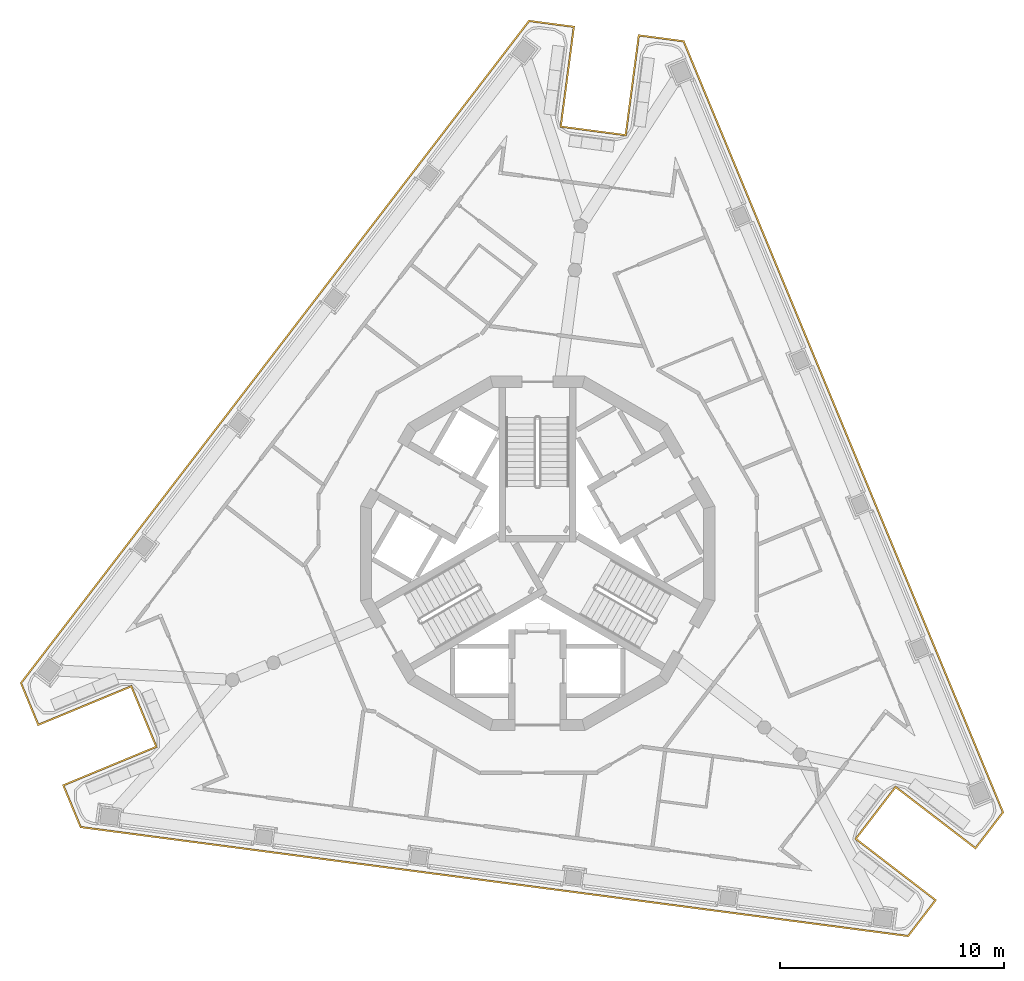
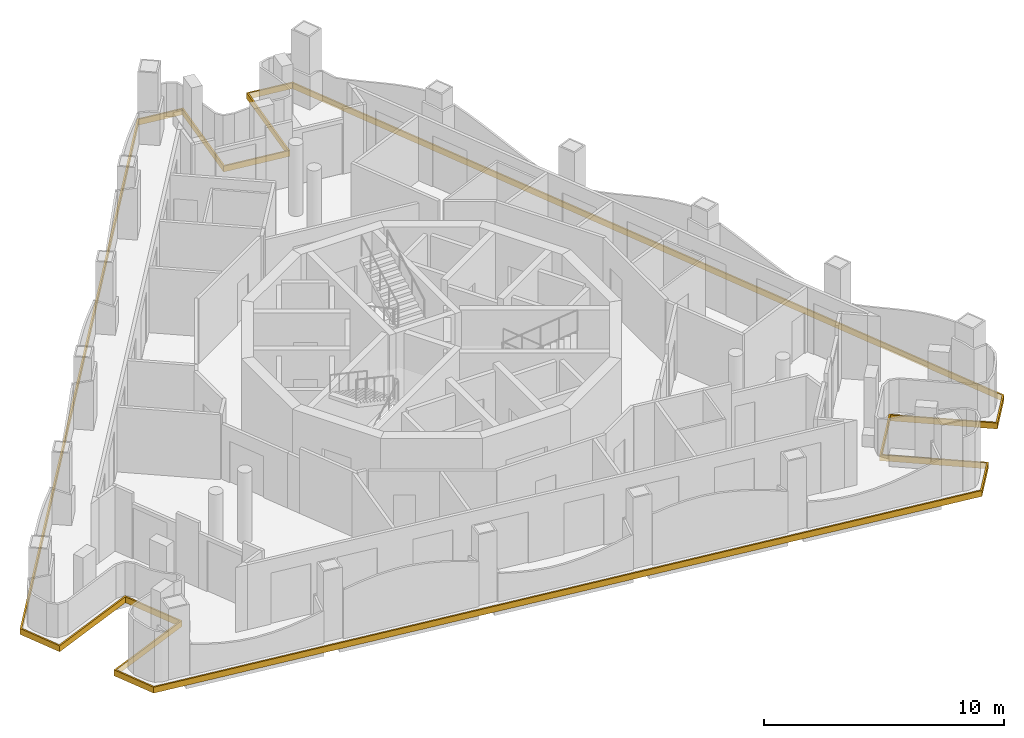
# One storey, part 9 of 12: 1 covering.
"""IFC4 building model written with IfcOpenShell, lengths in metres."""

from ifc_helpers import new_model, si_unit, direction, frame, origin, place, context, subcontext, project, spatial, polyline, outline, extrude, material, layer, layer_set, type_object, element, save


model = new_model("IFC4")

# Units and contexts
model_context = context("Model", 3, precision=1e-05, world=origin(), true_north=direction((0.0, 1.0)))
body_context = subcontext(model_context, "Body", "Model", "MODEL_VIEW")
ifc_project = project(units=[si_unit("LENGTHUNIT", "METRE"), si_unit("AREAUNIT", "SQUARE_METRE"), si_unit("VOLUMEUNIT", "CUBIC_METRE"), si_unit("PLANEANGLEUNIT", "RADIAN"), si_unit("MASSUNIT", "GRAM", prefix="KILO")], contexts=[model_context])

# Site, building, storey
site_placement = place(None, origin())
site = spatial("IfcSite", under=ifc_project, at=site_placement, CompositionType="ELEMENT")
building_placement = place(site_placement, origin())
building = spatial("IfcBuilding", under=site, at=building_placement, Name="Trine Commons Tower", CompositionType="ELEMENT")
storey_placement = place(building_placement, frame((0.0, 0.0, 282.60009765625)))
storey = spatial("IfcBuildingStorey", under=building, at=storey_placement, Name="L74", CompositionType="ELEMENT", Elevation=282.60009765625)

# Covering
ifc_material = material(Name="Limestone, honed", Category="masonry")
ifc_layer = layer(ifc_material, 0.074951171875)
ifc_layer_set = layer_set([ifc_layer], Name="Limestone, honed")
covering_type = type_object("IfcCoveringType", Name="Limestone spandrel panel 75", PredefinedType="CLADDING", material=ifc_layer_set)
covering_placement = place(storey_placement, frame((0.0, 0.0, -0.300048828125)))
element("IfcCovering", 1, at=covering_placement, inside=storey, type_object=covering_type, Name="Limestone spandrel panel 8-01", PredefinedType="CLADDING", context=body_context, shape_type="SweptSolid", body=[
    extrude(outline(polyline([(96.011962890625, 52.009765625), (99.58203125, 49.2705078125), (100.849609375, 50.92236328125), (86.556396484375, 85.429443359375), (84.49169921875, 85.701416015625), (83.904296875, 81.23974609375), (81.078857421875, 81.61181640625), (81.666259765625, 86.0732421875), (79.6015625, 86.34521484375), (56.8642578125, 56.713134765625), (57.6611328125, 54.789306640625), (61.818603515625, 56.511474609375), (62.9091796875, 53.87841796875), (58.751708984375, 52.15625), (59.548583984375, 50.232421875), (96.579345703125, 45.357177734375), (97.846923828125, 47.00927734375), (94.277099609375, 49.748779296875), (96.011962890625, 52.009765625)]), holes=[polyline([(84.556396484375, 85.6171875), (86.503662109375, 85.36083984375), (100.763916015625, 50.933837890625), (99.568115234375, 49.37548828125), (95.998046875, 52.114990234375), (94.171875, 49.73486328125), (97.741943359375, 46.99560546875), (96.546142578125, 45.437255859375), (59.601318359375, 50.301025390625), (58.849853515625, 52.11572265625), (63.007080078125, 53.837890625), (61.859130859375, 56.609375), (57.70166015625, 54.88720703125), (56.9501953125, 56.701904296875), (79.634765625, 86.26513671875), (81.58203125, 86.0087890625), (80.99462890625, 81.54736328125), (83.968994140625, 81.15576171875), (84.556396484375, 85.6171875)])]), origin(), (0.0, 0.0, 1.0), 0.300048828125),
])

save(model, "model.ifc")
